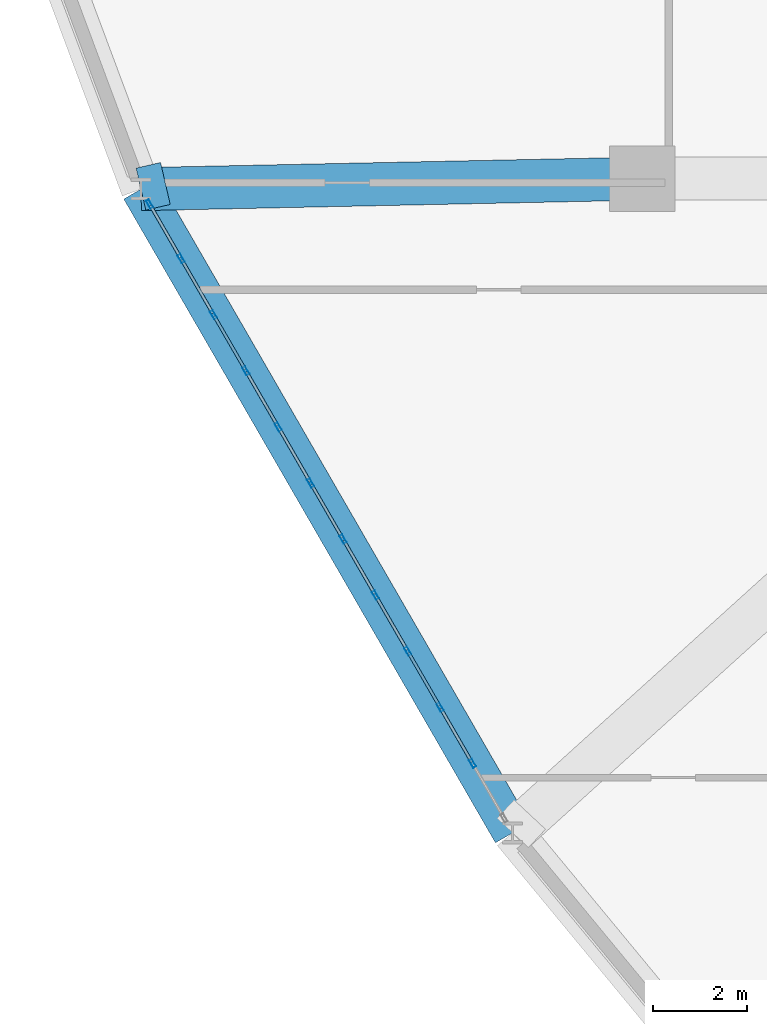
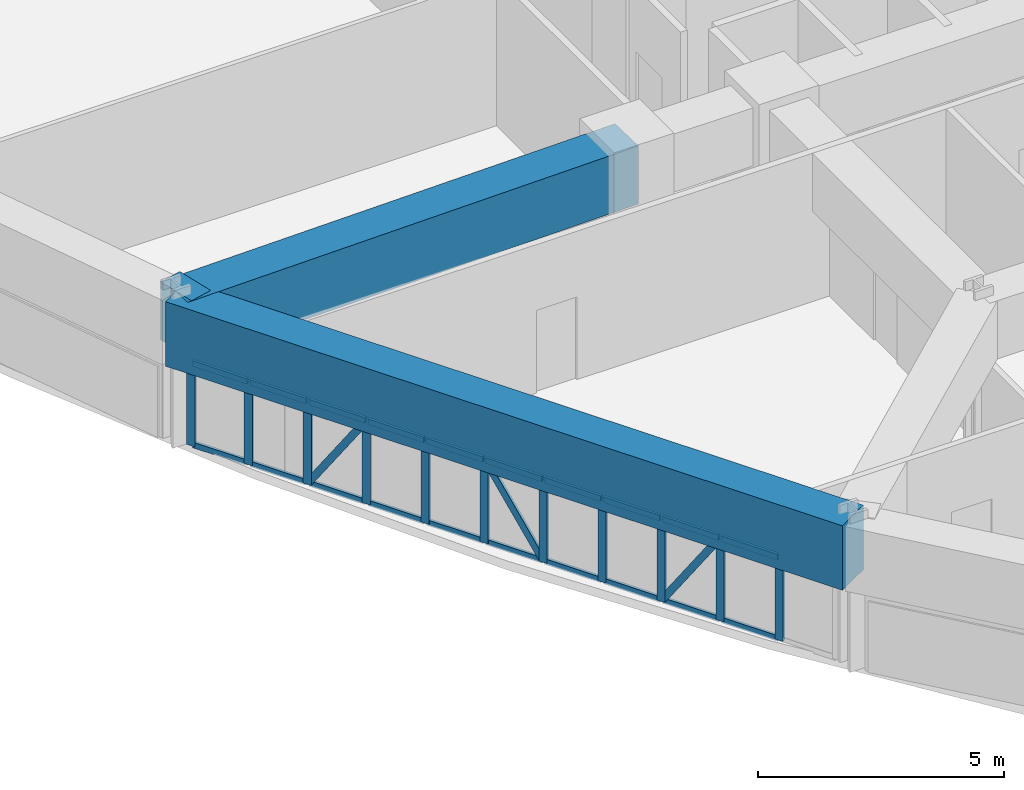
# One storey, part 4 of 20: 34 members, 3 beams, 1 element without a shape of its own.
"""IFC4 building model written with IfcOpenShell, lengths in metres."""

import ifcopenshell
import ifcopenshell.guid

model = None  # the IFC model being written
_history = None  # IfcOwnerHistory: only IFC2X3 demands one
_inside = {}  # id of a spatial element -> (the spatial element, [elements in it])
_under = {}  # id of a project, library or spatial element -> (it, [spatial elements below it])
_declared = {}  # id of a project -> (the project, [libraries it declares])
_typed = {}  # id of a type object -> (the type object, [elements of that type])
_made_of = {}  # id of a material, layer set ... -> (it, [elements and type objects made of it])


def new_model(schema):
    """Start an empty IFC model of exactly this schema.

    Asked for "IFC4X3", IfcOpenShell would pick the latest addendum, in which some entities
    have other attributes; the version numbers below select the first issue.
    IFC2X3 requires an IfcOwnerHistory on every rooted entity: one is made here for all.
    """
    global model, _history
    if schema == "IFC4X3":
        model = ifcopenshell.file(schema_version=(4, 3, 0, 0))
    else:
        model = ifcopenshell.file(schema=schema)
    _inside.clear()
    _under.clear()
    _declared.clear()
    _typed.clear()
    _made_of.clear()
    _history = None
    if model.schema == "IFC2X3":
        org = make("IfcOrganization", Name="unknown")
        user = make(
            "IfcPersonAndOrganization",
            ThePerson=make("IfcPerson", FamilyName="unknown"),
            TheOrganization=org,
        )
        app = make(
            "IfcApplication",
            ApplicationDeveloper=org,
            Version="unknown",
            ApplicationFullName="unknown",
            ApplicationIdentifier="unknown",
        )
        _history = make(
            "IfcOwnerHistory",
            OwningUser=user,
            OwningApplication=app,
            ChangeAction="ADDED",
            CreationDate=0,
        )
    return model


def make(cls, **values):
    """One entity of the class cls with the attributes given. An attribute that is None is left unset."""
    return model.create_entity(
        cls, **{name: value for name, value in values.items() if value is not None}
    )


def rooted(cls, **values):
    """An entity with a GlobalId (a new one), such as an element, a storey or a relation."""
    return make(cls, GlobalId=ifcopenshell.guid.new(), OwnerHistory=_history, **values)


def si_unit(unit_type, name, prefix=None):
    """IfcSIUnit, for example si_unit("LENGTHUNIT", "METRE", prefix="MILLI")."""
    return make("IfcSIUnit", UnitType=unit_type, Prefix=prefix, Name=name)


def derived_unit(unit_type, elements):
    """IfcDerivedUnit: a product of units, each with its exponent."""
    return make(
        "IfcDerivedUnit",
        Elements=[
            make("IfcDerivedUnitElement", Unit=unit, Exponent=power)
            for unit, power in elements
        ],
        UnitType=unit_type,
    )


def assignment(units):
    """IfcUnitAssignment: the units of a project."""
    return None if units is None else make("IfcUnitAssignment", Units=units)


def point(xyz):
    """IfcCartesianPoint."""
    return None if xyz is None else make("IfcCartesianPoint", Coordinates=xyz)


def direction(xyz):
    """IfcDirection."""
    return None if xyz is None else make("IfcDirection", DirectionRatios=xyz)


def frame(location, z_axis=None, x_axis=None):
    """IfcAxis2Placement3D, a coordinate frame: its origin and axes. An axis left out is left unset."""
    return make(
        "IfcAxis2Placement3D",
        Location=point(location),
        Axis=direction(z_axis),
        RefDirection=direction(x_axis),
    )


def frame_2d(location, x_axis=None):
    """IfcAxis2Placement2D, a coordinate frame in the plane: its origin and x axis."""
    return make(
        "IfcAxis2Placement2D", Location=point(location), RefDirection=direction(x_axis)
    )


def origin():
    """The frame at (0, 0, 0) with its axes left unset."""
    return frame((0.0, 0.0, 0.0))


def origin_2d():
    """The frame at (0, 0) in the plane with its x axis left unset."""
    return frame_2d((0.0, 0.0))


def place(relative_to, where):
    """IfcLocalPlacement: puts the frame where relative to a parent placement (None: the world)."""
    return make(
        "IfcLocalPlacement", PlacementRelTo=relative_to, RelativePlacement=where
    )


def context(
    kind, dimensions, precision=None, world=None, true_north=None, identifier=None
):
    """IfcGeometricRepresentationContext, for example the 3D "Model" context."""
    return make(
        "IfcGeometricRepresentationContext",
        ContextIdentifier=identifier,
        ContextType=kind,
        CoordinateSpaceDimension=dimensions,
        Precision=precision,
        WorldCoordinateSystem=world,
        TrueNorth=true_north,
    )


def subcontext(parent, identifier, kind, view, scale=None):
    """IfcGeometricRepresentationSubContext, for example "Body" below "Model"."""
    return make(
        "IfcGeometricRepresentationSubContext",
        ContextIdentifier=identifier,
        ContextType=kind,
        ParentContext=parent,
        TargetScale=scale,
        TargetView=view,
    )


def project(units=None, contexts=None):
    """IfcProject with its units and contexts."""
    return rooted(
        "IfcProject",
        Name="project",
        RepresentationContexts=contexts,
        UnitsInContext=assignment(units),
    )


def spatial(cls, under=None, at=None, **own):
    """A site, building, storey or space (cls), placed at a placement, below another one or the project."""
    s = rooted(cls, ObjectPlacement=at, **own)
    if under is not None:
        _under.setdefault(under.id(), (under, []))[1].append(s)
    return s


def profile(cls, at=None, kind="AREA", **sizes):
    """A parametric profile (cls). Its sizes go by their IFC names, for example OverallWidth=200.0."""
    return make(cls, ProfileType=kind, Position=at, **sizes)


def rectangle(**sizes):
    """IfcRectangleProfileDef."""
    return profile("IfcRectangleProfileDef", **sizes)


def hollow_rectangle(**sizes):
    """IfcRectangleHollowProfileDef."""
    return profile("IfcRectangleHollowProfileDef", **sizes)


def extrude(swept, where, along, depth):
    """IfcExtrudedAreaSolid: the profile swept, set in the frame where, extruded along a direction by depth."""
    return make(
        "IfcExtrudedAreaSolid",
        SweptArea=swept,
        Position=where,
        ExtrudedDirection=direction(along),
        Depth=depth,
    )


def shape(context_of_items, identifier, shape_type, items):
    """IfcShapeRepresentation: the items that make up one representation, for example the "Body"."""
    return make(
        "IfcShapeRepresentation",
        ContextOfItems=context_of_items,
        RepresentationIdentifier=identifier,
        RepresentationType=shape_type,
        Items=items,
    )


def source(mapping_origin, context_of_items, identifier, shape_type, items):
    """IfcRepresentationMap: a shape defined once, which mapped items show again and again."""
    return make(
        "IfcRepresentationMap",
        MappingOrigin=mapping_origin,
        MappedRepresentation=shape(context_of_items, identifier, shape_type, items),
    )


def transform(
    local_origin,
    x_axis=None,
    y_axis=None,
    z_axis=None,
    scale=None,
    scale2=None,
    scale3=None,
    uniform=True,
):
    """IfcCartesianTransformationOperator3D, or its non-uniform kind. x_axis, y_axis, z_axis: its Axis1, 2, 3."""
    if uniform:
        return make(
            "IfcCartesianTransformationOperator3D",
            Axis1=direction(x_axis),
            Axis2=direction(y_axis),
            LocalOrigin=point(local_origin),
            Scale=scale,
            Axis3=direction(z_axis),
        )
    return make(
        "IfcCartesianTransformationOperator3DnonUniform",
        Axis1=direction(x_axis),
        Axis2=direction(y_axis),
        LocalOrigin=point(local_origin),
        Scale=scale,
        Axis3=direction(z_axis),
        Scale2=scale2,
        Scale3=scale3,
    )


def mapped(mapping_source, mapping_target):
    """IfcMappedItem: shows the shape of a source again, moved by a transform."""
    return make(
        "IfcMappedItem", MappingSource=mapping_source, MappingTarget=mapping_target
    )


def material(Name=None, Category=None):
    """IfcMaterial."""
    return make("IfcMaterial", Name=Name, Category=Category)


def layer(
    of_material, thickness, ventilated=None, Name=None, Category=None, Priority=None
):
    """IfcMaterialLayer: one layer of a wall or slab, of a material (None: an air gap)."""
    return make(
        "IfcMaterialLayer",
        Material=of_material,
        LayerThickness=thickness,
        IsVentilated=ventilated,
        Name=Name,
        Category=Category,
        Priority=Priority,
    )


def layer_set(layers, Name=None):
    """IfcMaterialLayerSet."""
    return make("IfcMaterialLayerSet", MaterialLayers=layers, LayerSetName=Name)


def material_profile(
    of_material, cross_section, Name=None, Category=None, Priority=None
):
    """IfcMaterialProfile: a cross section and its material."""
    return make(
        "IfcMaterialProfile",
        Name=Name,
        Material=of_material,
        Profile=cross_section,
        Priority=Priority,
        Category=Category,
    )


def profile_set(profiles, Name=None, composite=None):
    """IfcMaterialProfileSet."""
    return make(
        "IfcMaterialProfileSet",
        Name=Name,
        MaterialProfiles=profiles,
        CompositeProfile=composite,
    )


def made_of(thing, what):
    """Note that an element or type object is made of a material, layer set ...; save() writes the relation."""
    if what is not None:
        _made_of.setdefault(what.id(), (what, []))[1].append(thing)
    return thing


def type_object(cls, material=None, **own):
    """A type object (cls), such as IfcWallType, which elements share."""
    return made_of(rooted(cls, **own), material)


def element(
    cls,
    number,
    at=None,
    inside=None,
    cuts=None,
    type_object=None,
    material=None,
    context=None,
    identifier="Body",
    shape_type=None,
    held_by="IfcProductDefinitionShape",
    body=None,
    shapes=None,
    **own,
):
    """One element of the class cls, such as IfcWall. Its Tag is "e" and its number.

    at: its placement. inside: the storey or other place that contains it. cuts: it is an
    opening in that element (IfcRelVoidsElement). A single representation is given by context,
    identifier, shape_type and body (its items); several are given by shapes. held_by: the class
    of the entity that holds the representations. save() writes the other relations.
    """
    e = rooted(cls, Tag="e%d" % number, ObjectPlacement=at, **own)
    if body is not None:
        shapes = [shape(context, identifier, shape_type, body)]
    if shapes is not None:
        e.Representation = make(held_by, Representations=shapes)
    if inside is not None:
        _inside.setdefault(inside.id(), (inside, []))[1].append(e)
    if cuts is not None:
        rooted(
            "IfcRelVoidsElement", RelatingBuildingElement=cuts, RelatedOpeningElement=e
        )
    if type_object is not None:
        _typed.setdefault(type_object.id(), (type_object, []))[1].append(e)
    return made_of(e, material)


def aggregate(whole, parts):
    """IfcRelAggregates: a whole, such as a stair, and the parts it consists of."""
    return rooted("IfcRelAggregates", RelatingObject=whole, RelatedObjects=parts)


def save(model, path):
    """Write the relations noted so far, then the file.

    IfcRelAggregates (storeys below a building ...), IfcRelContainedInSpatialStructure (elements
    in a storey), IfcRelDefinesByType, IfcRelAssociatesMaterial and IfcRelDeclares: one each for
    every whole, place, type object, material and project.
    """
    for whole, parts in _under.values():
        aggregate(whole, parts)
    for where, things in _inside.values():
        rooted(
            "IfcRelContainedInSpatialStructure",
            RelatedElements=things,
            RelatingStructure=where,
        )
    for kind, things in _typed.values():
        rooted("IfcRelDefinesByType", RelatedObjects=things, RelatingType=kind)
    for what, things in _made_of.values():
        rooted("IfcRelAssociatesMaterial", RelatedObjects=things, RelatingMaterial=what)
    for by, libraries in _declared.values():
        rooted("IfcRelDeclares", RelatingContext=by, RelatedDefinitions=libraries)
    model.write(path)


model = new_model("IFC4")

# Units and contexts
model_context = context("Model", 3, precision=1e-05, world=origin(), true_north=direction((0.0, 1.0)))
body_context = subcontext(model_context, "Body", "Model", "MODEL_VIEW")
ifc_project = project(units=[si_unit("LENGTHUNIT", "METRE"), si_unit("AREAUNIT", "SQUARE_METRE"), si_unit("VOLUMEUNIT", "CUBIC_METRE"), si_unit("PLANEANGLEUNIT", "RADIAN"), si_unit("MASSUNIT", "GRAM", prefix="KILO"), derived_unit("THERMALTRANSMITTANCEUNIT", [(si_unit("POWERUNIT", "WATT"), 1), (si_unit("LENGTHUNIT", "METRE"), -2), (si_unit("THERMODYNAMICTEMPERATUREUNIT", "KELVIN"), -1)])], contexts=[model_context])

# Site, building, storey
site_placement = place(None, origin())
site = spatial("IfcSite", under=ifc_project, at=site_placement, CompositionType="ELEMENT")
building_placement = place(site_placement, origin())
building = spatial("IfcBuilding", under=site, at=building_placement, Name="Korsvarv Bourse and Concert Hall", CompositionType="ELEMENT")
storey_placement = place(building_placement, frame((0.0, 0.0, 43.5)))
storey = spatial("IfcBuildingStorey", under=building, at=storey_placement, Name="L10", CompositionType="ELEMENT", Elevation=43.5)

# Beams
ifc_material_1 = material(Name="Concrete C55/67", Category="concrete")
ifc_material_profile_1 = material_profile(ifc_material_1, rectangle(XDim=0.85009765625, YDim=1.60009765625, at=origin_2d()), Name="RC-BM 850x1600")
ifc_profile_set_1 = profile_set([ifc_material_profile_1], Name="Concrete C55/67")
beam_type_1 = type_object("IfcBeamType", Name="BM-TR1B", PredefinedType="BEAM", material=ifc_profile_set_1)
shared_shape_1 = source(origin(), body_context, "Body", "SweptSolid", [
    extrude(rectangle(XDim=0.85009765625, YDim=1.60009765625, at=origin_2d()), origin(), (0.0, 0.0, 1.0), 15.88232421875),
])
beam_1_placement = place(storey_placement, frame((13.4951171875, 32.176513671875, 2.8798828125), z_axis=(0.500002773106, -0.866023802725, 0.0), x_axis=(0.866023802725, 0.500002773106, 0.0)))
element("IfcBeam", 1, at=beam_1_placement, inside=storey, type_object=beam_type_1, Name="L10 beam B-TR2", PredefinedType="BEAM", context=body_context, shape_type="MappedRepresentation", body=[
    mapped(shared_shape_1, transform((0.0, 0.0, 0.0), scale=1.0)),
])
ifc_material_2 = material(Name="Concrete C50/60", Category="concrete")
ifc_material_profile_2 = material_profile(ifc_material_2, rectangle(XDim=0.919921875, YDim=1.43994140625, at=origin_2d()), Name="RC-BM 920x1440")
ifc_profile_set_2 = profile_set([ifc_material_profile_2], Name="Concrete C50/60")
beam_type_2 = type_object("IfcBeamType", Name="BM-TR-144", PredefinedType="BEAM", material=ifc_profile_set_2)
shared_shape_2 = source(origin(), body_context, "Body", "SweptSolid", [
    extrude(rectangle(XDim=0.919921875, YDim=1.43994140625, at=origin_2d()), origin(), (0.0, 0.0, 1.0), 10.707275390625),
])
beam_2_placement = place(storey_placement, frame((13.4951171875, 32.176513671875, 2.9599609375), z_axis=(0.999782333994, 0.020863476078, 0.0), x_axis=(-0.020863476078, 0.999782333994, 0.0)))
element("IfcBeam", 2, at=beam_2_placement, inside=storey, type_object=beam_type_2, Name="L10 beam B-TR4", PredefinedType="BEAM", context=body_context, shape_type="MappedRepresentation", body=[
    mapped(shared_shape_2, transform((0.0, 0.0, 0.0), scale=1.0)),
])
shared_shape_3 = source(origin(), body_context, "Body", "SweptSolid", [
    extrude(rectangle(XDim=0.919921875, YDim=1.43994140625, at=origin_2d()), origin(), (0.0, 0.0, 1.0), 0.535400390625),
])
beam_3_placement = place(storey_placement, frame((13.4951171875, 32.176513671875, 2.9599609375), z_axis=(0.974306601876, 0.225225765712, 0.0), x_axis=(-0.225225765712, 0.974306601876, 0.0)))
element("IfcBeam", 3, at=beam_3_placement, inside=storey, type_object=beam_type_2, Name="L10 beam B-TR4", PredefinedType="BEAM", context=body_context, shape_type="MappedRepresentation", body=[
    mapped(shared_shape_3, transform((0.0, 0.0, 0.0), scale=1.0)),
])

# Curtain wall, members
ifc_material_3 = material(Name="Anodised aluminium and triple low-E glazing", Category="glass")
ifc_layer = layer(ifc_material_3, 0.219970703125)
ifc_layer_set = layer_set([ifc_layer], Name="Anodised aluminium and triple low-E glazing")
curtain_wall_type = type_object("IfcCurtainWallType", Name="CW-SYS-1", PredefinedType="NOTDEFINED", material=ifc_layer_set)
curtain_wall_placement = place(storey_placement, origin())
curtain_wall = element("IfcCurtainWall", 4, at=curtain_wall_placement, inside=storey, type_object=curtain_wall_type, Name="L10 CW1 curtain wall CW-L10-F07", PredefinedType="NOTDEFINED")
ifc_material_4 = material(Name="Extruded aluminium EN AW-6063 T66", Category="aluminium")
ifc_material_profile_3 = material_profile(ifc_material_4, hollow_rectangle(XDim=0.070068359375, YDim=0.18994140625, WallThickness=0.0048828125, at=origin_2d()), Name="ALU-M 70x190")
ifc_profile_set_3 = profile_set([ifc_material_profile_3], Name="Extruded aluminium EN AW-6063 T66")
member_type_1 = type_object("IfcMemberType", Name="CWM-190", PredefinedType="MULLION", material=ifc_profile_set_3)
shared_shape_4 = source(origin(), body_context, "Body", "SweptSolid", [
    extrude(hollow_rectangle(XDim=0.070068359375, YDim=0.18994140625, WallThickness=0.0048828125, at=origin_2d()), origin(), (0.0, 0.0, 1.0), 2.080078125),
])
member_1_placement = place(storey_placement, frame((13.678466796875, 31.859130859375, 0.0), z_axis=(0.0, 0.0, 1.0), x_axis=(0.866025616828, 0.499999630998, 0.0)))
member_1 = element("IfcMember", 5, at=member_1_placement, type_object=member_type_1, Name="CW1 mullion 1", PredefinedType="MULLION", context=body_context, shape_type="MappedRepresentation", body=[
    mapped(shared_shape_4, transform((0.0, 0.0, 0.0), scale=1.0)),
])
member_2_placement = place(storey_placement, frame((14.352783203125, 30.691162109375, 0.0), z_axis=(0.0, 0.0, 1.0), x_axis=(0.866025616828, 0.499999630998, 0.0)))
member_2 = element("IfcMember", 6, at=member_2_placement, type_object=member_type_1, Name="CW1 mullion 2", PredefinedType="MULLION", context=body_context, shape_type="MappedRepresentation", body=[
    mapped(shared_shape_4, transform((0.0, 0.0, 0.0), scale=1.0)),
])
member_3_placement = place(storey_placement, frame((15.04443359375, 29.492919921875, 0.0), z_axis=(0.0, 0.0, 1.0), x_axis=(0.866025616828, 0.499999630998, 0.0)))
member_3 = element("IfcMember", 7, at=member_3_placement, type_object=member_type_1, Name="CW1 mullion 3", PredefinedType="MULLION", context=body_context, shape_type="MappedRepresentation", body=[
    mapped(shared_shape_4, transform((0.0, 0.0, 0.0), scale=1.0)),
])
member_4_placement = place(storey_placement, frame((15.736328125, 28.294677734375, 0.0), z_axis=(0.0, 0.0, 1.0), x_axis=(0.866025616828, 0.499999630998, 0.0)))
member_4 = element("IfcMember", 8, at=member_4_placement, type_object=member_type_1, Name="CW1 mullion 4", PredefinedType="MULLION", context=body_context, shape_type="MappedRepresentation", body=[
    mapped(shared_shape_4, transform((0.0, 0.0, 0.0), scale=1.0)),
])
member_5_placement = place(storey_placement, frame((16.427978515625, 27.096435546875, 0.0), z_axis=(0.0, 0.0, 1.0), x_axis=(0.866025616828, 0.499999630998, 0.0)))
member_5 = element("IfcMember", 9, at=member_5_placement, type_object=member_type_1, Name="CW1 mullion 5", PredefinedType="MULLION", context=body_context, shape_type="MappedRepresentation", body=[
    mapped(shared_shape_4, transform((0.0, 0.0, 0.0), scale=1.0)),
])
member_6_placement = place(storey_placement, frame((17.119873046875, 25.898193359375, 0.0), z_axis=(0.0, 0.0, 1.0), x_axis=(0.866025616828, 0.499999630998, 0.0)))
member_6 = element("IfcMember", 10, at=member_6_placement, type_object=member_type_1, Name="CW1 mullion 6", PredefinedType="MULLION", context=body_context, shape_type="MappedRepresentation", body=[
    mapped(shared_shape_4, transform((0.0, 0.0, 0.0), scale=1.0)),
])
member_7_placement = place(storey_placement, frame((17.8115234375, 24.7001953125, 0.0), z_axis=(0.0, 0.0, 1.0), x_axis=(0.866025616828, 0.499999630998, 0.0)))
member_7 = element("IfcMember", 11, at=member_7_placement, type_object=member_type_1, Name="CW1 mullion 7", PredefinedType="MULLION", context=body_context, shape_type="MappedRepresentation", body=[
    mapped(shared_shape_4, transform((0.0, 0.0, 0.0), scale=1.0)),
])
member_8_placement = place(storey_placement, frame((18.50341796875, 23.501953125, 0.0), z_axis=(0.0, 0.0, 1.0), x_axis=(0.866025616828, 0.499999630998, 0.0)))
member_8 = element("IfcMember", 12, at=member_8_placement, type_object=member_type_1, Name="CW1 mullion 8", PredefinedType="MULLION", context=body_context, shape_type="MappedRepresentation", body=[
    mapped(shared_shape_4, transform((0.0, 0.0, 0.0), scale=1.0)),
])
member_9_placement = place(storey_placement, frame((19.1953125, 22.3037109375, 0.0), z_axis=(0.0, 0.0, 1.0), x_axis=(0.866025616828, 0.499999630998, 0.0)))
member_9 = element("IfcMember", 13, at=member_9_placement, type_object=member_type_1, Name="CW1 mullion 9", PredefinedType="MULLION", context=body_context, shape_type="MappedRepresentation", body=[
    mapped(shared_shape_4, transform((0.0, 0.0, 0.0), scale=1.0)),
])
member_10_placement = place(storey_placement, frame((19.886962890625, 21.10546875, 0.0), z_axis=(0.0, 0.0, 1.0), x_axis=(0.866025616828, 0.499999630998, 0.0)))
member_10 = element("IfcMember", 14, at=member_10_placement, type_object=member_type_1, Name="CW1 mullion 10", PredefinedType="MULLION", context=body_context, shape_type="MappedRepresentation", body=[
    mapped(shared_shape_4, transform((0.0, 0.0, 0.0), scale=1.0)),
])
member_11_placement = place(storey_placement, frame((20.578857421875, 19.9072265625, 0.0), z_axis=(0.0, 0.0, 1.0), x_axis=(0.866025616828, 0.499999630998, 0.0)))
member_11 = element("IfcMember", 15, at=member_11_placement, type_object=member_type_1, Name="CW1 mullion 11", PredefinedType="MULLION", context=body_context, shape_type="MappedRepresentation", body=[
    mapped(shared_shape_4, transform((0.0, 0.0, 0.0), scale=1.0)),
])
ifc_material_profile_4 = material_profile(ifc_material_4, hollow_rectangle(XDim=0.06494140625, YDim=0.139892578125, WallThickness=0.00390625, at=origin_2d()), Name="ALU-T 65x140")
ifc_profile_set_4 = profile_set([ifc_material_profile_4], Name="Extruded aluminium EN AW-6063 T66")
member_type_2 = type_object("IfcMemberType", Name="CWT-140", PredefinedType="USERDEFINED", material=ifc_profile_set_4)
shared_shape_5 = source(origin(), body_context, "Body", "SweptSolid", [
    extrude(hollow_rectangle(XDim=0.06494140625, YDim=0.139892578125, WallThickness=0.00390625, at=origin_2d()), origin(), (0.0, 0.0, 1.0), 1.27880859375),
])
member_12_placement = place(storey_placement, frame((13.69580078125, 31.828857421875, 0.032470703125), z_axis=(0.50001992892, -0.866013897511, 0.0), x_axis=(0.866013897511, 0.50001992892, 0.0)))
member_12 = element("IfcMember", 16, at=member_12_placement, type_object=member_type_2, Name="CW1 transom 1.1", ObjectType="TRANSOM", PredefinedType="USERDEFINED", context=body_context, shape_type="MappedRepresentation", body=[
    mapped(shared_shape_5, transform((0.0, 0.0, 0.0), scale=1.0)),
])
member_13_placement = place(storey_placement, frame((13.69580078125, 31.828857421875, 2.047607421875), z_axis=(0.50001992892, -0.866013897511, 0.0), x_axis=(0.866013897511, 0.50001992892, 0.0)))
member_13 = element("IfcMember", 17, at=member_13_placement, type_object=member_type_2, Name="CW1 transom 1.2", ObjectType="TRANSOM", PredefinedType="USERDEFINED", context=body_context, shape_type="MappedRepresentation", body=[
    mapped(shared_shape_5, transform((0.0, 0.0, 0.0), scale=1.0)),
])
shared_shape_6 = source(origin(), body_context, "Body", "SweptSolid", [
    extrude(hollow_rectangle(XDim=0.06494140625, YDim=0.139892578125, WallThickness=0.00390625, at=origin_2d()), origin(), (0.0, 0.0, 1.0), 1.313720703125),
])
member_14_placement = place(storey_placement, frame((14.3701171875, 30.660888671875, 0.032470703125), z_axis=(0.50007633992, -0.865981324425, 0.0), x_axis=(0.865981324425, 0.50007633992, 0.0)))
member_14 = element("IfcMember", 18, at=member_14_placement, type_object=member_type_2, Name="CW1 transom 2.1", ObjectType="TRANSOM", PredefinedType="USERDEFINED", context=body_context, shape_type="MappedRepresentation", body=[
    mapped(shared_shape_6, transform((0.0, 0.0, 0.0), scale=1.0)),
])
member_15_placement = place(storey_placement, frame((14.3701171875, 30.660888671875, 2.047607421875), z_axis=(0.50007633992, -0.865981324425, 0.0), x_axis=(0.865981324425, 0.50007633992, 0.0)))
member_15 = element("IfcMember", 19, at=member_15_placement, type_object=member_type_2, Name="CW1 transom 2.2", ObjectType="TRANSOM", PredefinedType="USERDEFINED", context=body_context, shape_type="MappedRepresentation", body=[
    mapped(shared_shape_6, transform((0.0, 0.0, 0.0), scale=1.0)),
])
member_16_placement = place(storey_placement, frame((15.06201171875, 29.462646484375, 0.032470703125), z_axis=(0.499936960004, -0.866061796884, 0.0), x_axis=(0.866061796884, 0.499936960004, 0.0)))
member_16 = element("IfcMember", 20, at=member_16_placement, type_object=member_type_2, Name="CW1 transom 3.1", ObjectType="TRANSOM", PredefinedType="USERDEFINED", context=body_context, shape_type="MappedRepresentation", body=[
    mapped(shared_shape_6, transform((0.0, 0.0, 0.0), scale=1.0)),
])
member_17_placement = place(storey_placement, frame((15.06201171875, 29.462646484375, 2.047607421875), z_axis=(0.499936960004, -0.866061796884, 0.0), x_axis=(0.866061796884, 0.499936960004, 0.0)))
member_17 = element("IfcMember", 21, at=member_17_placement, type_object=member_type_2, Name="CW1 transom 3.2", ObjectType="TRANSOM", PredefinedType="USERDEFINED", context=body_context, shape_type="MappedRepresentation", body=[
    mapped(shared_shape_6, transform((0.0, 0.0, 0.0), scale=1.0)),
])
member_18_placement = place(storey_placement, frame((18.52099609375, 23.4716796875, 0.032470703125), z_axis=(0.499936960004, -0.866061796884, 0.0), x_axis=(0.866061796884, 0.499936960004, 0.0)))
member_18 = element("IfcMember", 22, at=member_18_placement, type_object=member_type_2, Name="CW1 transom 8.1", ObjectType="TRANSOM", PredefinedType="USERDEFINED", context=body_context, shape_type="MappedRepresentation", body=[
    mapped(shared_shape_6, transform((0.0, 0.0, 0.0), scale=1.0)),
])
member_19_placement = place(storey_placement, frame((18.52099609375, 23.4716796875, 2.047607421875), z_axis=(0.499936960004, -0.866061796884, 0.0), x_axis=(0.866061796884, 0.499936960004, 0.0)))
member_19 = element("IfcMember", 23, at=member_19_placement, type_object=member_type_2, Name="CW1 transom 8.2", ObjectType="TRANSOM", PredefinedType="USERDEFINED", context=body_context, shape_type="MappedRepresentation", body=[
    mapped(shared_shape_6, transform((0.0, 0.0, 0.0), scale=1.0)),
])
member_20_placement = place(storey_placement, frame((19.212646484375, 22.2734375, 0.032470703125), z_axis=(0.50007633992, -0.865981324425, 0.0), x_axis=(0.865981324425, 0.50007633992, 0.0)))
member_20 = element("IfcMember", 24, at=member_20_placement, type_object=member_type_2, Name="CW1 transom 9.1", ObjectType="TRANSOM", PredefinedType="USERDEFINED", context=body_context, shape_type="MappedRepresentation", body=[
    mapped(shared_shape_6, transform((0.0, 0.0, 0.0), scale=1.0)),
])
member_21_placement = place(storey_placement, frame((19.212646484375, 22.2734375, 2.047607421875), z_axis=(0.50007633992, -0.865981324425, 0.0), x_axis=(0.865981324425, 0.50007633992, 0.0)))
member_21 = element("IfcMember", 25, at=member_21_placement, type_object=member_type_2, Name="CW1 transom 9.2", ObjectType="TRANSOM", PredefinedType="USERDEFINED", context=body_context, shape_type="MappedRepresentation", body=[
    mapped(shared_shape_6, transform((0.0, 0.0, 0.0), scale=1.0)),
])
member_22_placement = place(storey_placement, frame((19.904541015625, 21.0751953125, 0.032470703125), z_axis=(0.499936960004, -0.866061796884, 0.0), x_axis=(0.866061796884, 0.499936960004, 0.0)))
member_22 = element("IfcMember", 26, at=member_22_placement, type_object=member_type_2, Name="CW1 transom 10.1", ObjectType="TRANSOM", PredefinedType="USERDEFINED", context=body_context, shape_type="MappedRepresentation", body=[
    mapped(shared_shape_6, transform((0.0, 0.0, 0.0), scale=1.0)),
])
member_23_placement = place(storey_placement, frame((19.904541015625, 21.0751953125, 2.047607421875), z_axis=(0.499936960004, -0.866061796884, 0.0), x_axis=(0.866061796884, 0.499936960004, 0.0)))
member_23 = element("IfcMember", 27, at=member_23_placement, type_object=member_type_2, Name="CW1 transom 10.2", ObjectType="TRANSOM", PredefinedType="USERDEFINED", context=body_context, shape_type="MappedRepresentation", body=[
    mapped(shared_shape_6, transform((0.0, 0.0, 0.0), scale=1.0)),
])
ifc_material_profile_5 = material_profile(ifc_material_4, hollow_rectangle(XDim=0.06494140625, YDim=0.1650390625, WallThickness=0.0048828125, at=origin_2d()), Name="ALU-M 65x165")
ifc_profile_set_5 = profile_set([ifc_material_profile_5], Name="Extruded aluminium EN AW-6063 T66")
member_type_3 = type_object("IfcMemberType", Name="CWM-165", PredefinedType="MULLION", material=ifc_profile_set_5)
shared_shape_7 = source(origin(), body_context, "Body", "SweptSolid", [
    extrude(hollow_rectangle(XDim=0.06494140625, YDim=0.1650390625, WallThickness=0.0048828125, at=origin_2d()), origin(), (0.0, 0.0, 1.0), 2.351318359375),
])
member_24_placement = place(storey_placement, frame((19.212646484375, 22.2734375, 0.06494140625), z_axis=(0.27942064739, -0.48387224706, 0.829332111001), x_axis=(0.865981324425, 0.50007633992, 0.0)))
member_24 = element("IfcMember", 28, at=member_24_placement, type_object=member_type_3, Name="CW1 diagonal mullion 9", PredefinedType="MULLION", context=body_context, shape_type="MappedRepresentation", body=[
    mapped(shared_shape_7, transform((0.0, 0.0, 0.0), scale=1.0)),
])
shared_shape_8 = source(origin(), body_context, "Body", "SweptSolid", [
    extrude(hollow_rectangle(XDim=0.06494140625, YDim=0.139892578125, WallThickness=0.00390625, at=origin_2d()), origin(), (0.0, 0.0, 1.0), 1.3134765625),
])
member_25_placement = place(storey_placement, frame((15.753662109375, 28.264404296875, 0.032470703125), z_axis=(0.500156826909, -0.865934840791, 0.0), x_axis=(0.865934840791, 0.500156826909, 0.0)))
member_25 = element("IfcMember", 29, at=member_25_placement, type_object=member_type_2, Name="CW1 transom 4.1", ObjectType="TRANSOM", PredefinedType="USERDEFINED", context=body_context, shape_type="MappedRepresentation", body=[
    mapped(shared_shape_8, transform((0.0, 0.0, 0.0), scale=1.0)),
])
member_26_placement = place(storey_placement, frame((15.753662109375, 28.264404296875, 2.047607421875), z_axis=(0.500156826909, -0.865934840791, 0.0), x_axis=(0.865934840791, 0.500156826909, 0.0)))
member_26 = element("IfcMember", 30, at=member_26_placement, type_object=member_type_2, Name="CW1 transom 4.2", ObjectType="TRANSOM", PredefinedType="USERDEFINED", context=body_context, shape_type="MappedRepresentation", body=[
    mapped(shared_shape_8, transform((0.0, 0.0, 0.0), scale=1.0)),
])
member_27_placement = place(storey_placement, frame((16.445556640625, 27.066162109375, 0.032470703125), z_axis=(0.500017439519, -0.866015334839, 0.0), x_axis=(0.866015334839, 0.500017439519, 0.0)))
member_27 = element("IfcMember", 31, at=member_27_placement, type_object=member_type_2, Name="CW1 transom 5.1", ObjectType="TRANSOM", PredefinedType="USERDEFINED", context=body_context, shape_type="MappedRepresentation", body=[
    mapped(shared_shape_8, transform((0.0, 0.0, 0.0), scale=1.0)),
])
member_28_placement = place(storey_placement, frame((16.445556640625, 27.066162109375, 2.047607421875), z_axis=(0.500017439519, -0.866015334839, 0.0), x_axis=(0.866015334839, 0.500017439519, 0.0)))
member_28 = element("IfcMember", 32, at=member_28_placement, type_object=member_type_2, Name="CW1 transom 5.2", ObjectType="TRANSOM", PredefinedType="USERDEFINED", context=body_context, shape_type="MappedRepresentation", body=[
    mapped(shared_shape_8, transform((0.0, 0.0, 0.0), scale=1.0)),
])
member_29_placement = place(storey_placement, frame((17.137451171875, 25.867919921875, 0.032470703125), z_axis=(0.500017439519, -0.866015334839, 0.0), x_axis=(0.866015334839, 0.500017439519, 0.0)))
member_29 = element("IfcMember", 33, at=member_29_placement, type_object=member_type_2, Name="CW1 transom 6.1", ObjectType="TRANSOM", PredefinedType="USERDEFINED", context=body_context, shape_type="MappedRepresentation", body=[
    mapped(shared_shape_8, transform((0.0, 0.0, 0.0), scale=1.0)),
])
member_30_placement = place(storey_placement, frame((17.137451171875, 25.867919921875, 2.047607421875), z_axis=(0.500017439519, -0.866015334839, 0.0), x_axis=(0.866015334839, 0.500017439519, 0.0)))
member_30 = element("IfcMember", 34, at=member_30_placement, type_object=member_type_2, Name="CW1 transom 6.2", ObjectType="TRANSOM", PredefinedType="USERDEFINED", context=body_context, shape_type="MappedRepresentation", body=[
    mapped(shared_shape_8, transform((0.0, 0.0, 0.0), scale=1.0)),
])
member_31_placement = place(storey_placement, frame((17.8291015625, 24.669677734375, 0.032470703125), z_axis=(0.500017439519, -0.866015334839, 0.0), x_axis=(0.866015334839, 0.500017439519, 0.0)))
member_31 = element("IfcMember", 35, at=member_31_placement, type_object=member_type_2, Name="CW1 transom 7.1", ObjectType="TRANSOM", PredefinedType="USERDEFINED", context=body_context, shape_type="MappedRepresentation", body=[
    mapped(shared_shape_8, transform((0.0, 0.0, 0.0), scale=1.0)),
])
member_32_placement = place(storey_placement, frame((17.8291015625, 24.669677734375, 2.047607421875), z_axis=(0.500017439519, -0.866015334839, 0.0), x_axis=(0.866015334839, 0.500017439519, 0.0)))
member_32 = element("IfcMember", 36, at=member_32_placement, type_object=member_type_2, Name="CW1 transom 7.2", ObjectType="TRANSOM", PredefinedType="USERDEFINED", context=body_context, shape_type="MappedRepresentation", body=[
    mapped(shared_shape_8, transform((0.0, 0.0, 0.0), scale=1.0)),
])
shared_shape_9 = source(origin(), body_context, "Body", "SweptSolid", [
    extrude(hollow_rectangle(XDim=0.06494140625, YDim=0.1650390625, WallThickness=0.0048828125, at=origin_2d()), origin(), (0.0, 0.0, 1.0), 2.35107421875),
])
member_33_placement = place(storey_placement, frame((15.06201171875, 29.462646484375, 0.06494140625), z_axis=(0.279324915008, -0.483886283992, 0.82935616958), x_axis=(0.866061796884, 0.499936960004, 0.0)))
member_33 = element("IfcMember", 37, at=member_33_placement, type_object=member_type_3, Name="CW1 diagonal mullion 3", PredefinedType="MULLION", context=body_context, shape_type="MappedRepresentation", body=[
    mapped(shared_shape_9, transform((0.0, 0.0, 0.0), scale=1.0)),
])
member_34_placement = place(storey_placement, frame((17.794189453125, 24.73046875, 0.06494140625), z_axis=(-0.279338949494, 0.483806753046, 0.829397840004), x_axis=(-0.866015334839, -0.500017439519, 0.0)))
member_34 = element("IfcMember", 38, at=member_34_placement, type_object=member_type_3, Name="CW1 diagonal mullion 6", PredefinedType="MULLION", context=body_context, shape_type="MappedRepresentation", body=[
    mapped(shared_shape_9, transform((0.0, 0.0, 0.0), scale=1.0)),
])
aggregate(curtain_wall, [member_1, member_2, member_3, member_4, member_5, member_6, member_7, member_8, member_9, member_10, member_11, member_12, member_13, member_14, member_15, member_16, member_17, member_33, member_25, member_26, member_27, member_28, member_29, member_30, member_34, member_31, member_32, member_18, member_19, member_20, member_21, member_24, member_22, member_23])

save(model, "model.ifc")
